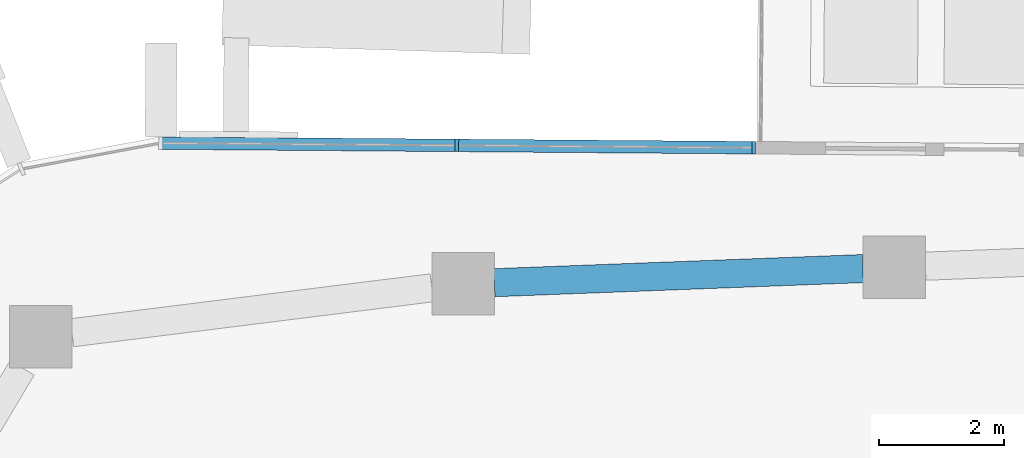
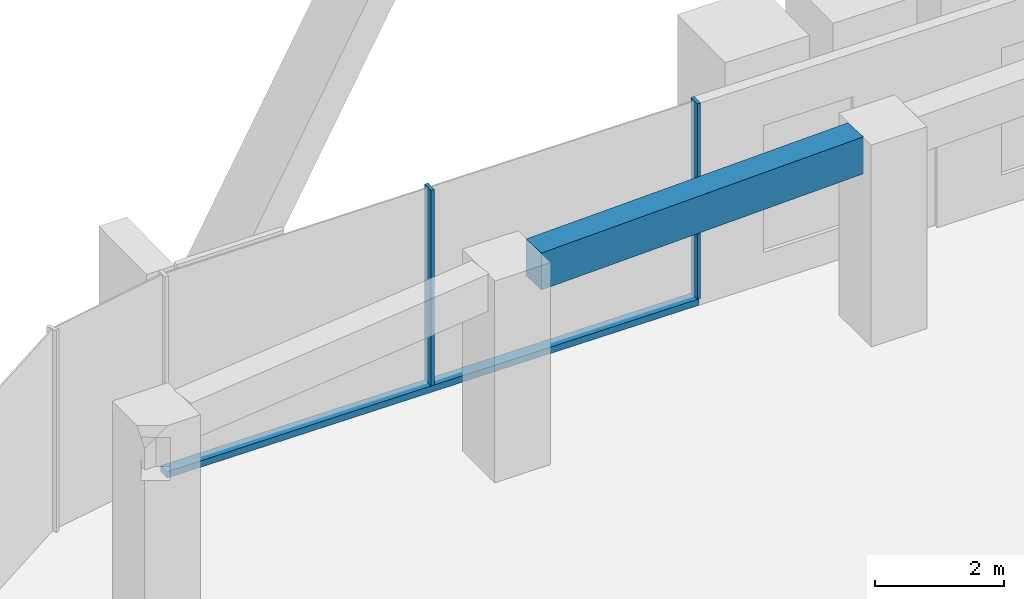
# One storey, part 7 of 23: 3 members, 1 beam, 1 element without a shape of its own.
"""IFC4 building model written with IfcOpenShell, lengths in metres."""

import ifcopenshell
import ifcopenshell.guid

model = None  # the IFC model being written
_history = None  # IfcOwnerHistory: only IFC2X3 demands one
_inside = {}  # id of a spatial element -> (the spatial element, [elements in it])
_under = {}  # id of a project, library or spatial element -> (it, [spatial elements below it])
_declared = {}  # id of a project -> (the project, [libraries it declares])
_typed = {}  # id of a type object -> (the type object, [elements of that type])
_made_of = {}  # id of a material, layer set ... -> (it, [elements and type objects made of it])


def new_model(schema):
    """Start an empty IFC model of exactly this schema.

    Asked for "IFC4X3", IfcOpenShell would pick the latest addendum, in which some entities
    have other attributes; the version numbers below select the first issue.
    IFC2X3 requires an IfcOwnerHistory on every rooted entity: one is made here for all.
    """
    global model, _history
    if schema == "IFC4X3":
        model = ifcopenshell.file(schema_version=(4, 3, 0, 0))
    else:
        model = ifcopenshell.file(schema=schema)
    _inside.clear()
    _under.clear()
    _declared.clear()
    _typed.clear()
    _made_of.clear()
    _history = None
    if model.schema == "IFC2X3":
        org = make("IfcOrganization", Name="unknown")
        user = make(
            "IfcPersonAndOrganization",
            ThePerson=make("IfcPerson", FamilyName="unknown"),
            TheOrganization=org,
        )
        app = make(
            "IfcApplication",
            ApplicationDeveloper=org,
            Version="unknown",
            ApplicationFullName="unknown",
            ApplicationIdentifier="unknown",
        )
        _history = make(
            "IfcOwnerHistory",
            OwningUser=user,
            OwningApplication=app,
            ChangeAction="ADDED",
            CreationDate=0,
        )
    return model


def make(cls, **values):
    """One entity of the class cls with the attributes given. An attribute that is None is left unset."""
    return model.create_entity(
        cls, **{name: value for name, value in values.items() if value is not None}
    )


def rooted(cls, **values):
    """An entity with a GlobalId (a new one), such as an element, a storey or a relation."""
    return make(cls, GlobalId=ifcopenshell.guid.new(), OwnerHistory=_history, **values)


def si_unit(unit_type, name, prefix=None):
    """IfcSIUnit, for example si_unit("LENGTHUNIT", "METRE", prefix="MILLI")."""
    return make("IfcSIUnit", UnitType=unit_type, Prefix=prefix, Name=name)


def assignment(units):
    """IfcUnitAssignment: the units of a project."""
    return None if units is None else make("IfcUnitAssignment", Units=units)


def point(xyz):
    """IfcCartesianPoint."""
    return None if xyz is None else make("IfcCartesianPoint", Coordinates=xyz)


def direction(xyz):
    """IfcDirection."""
    return None if xyz is None else make("IfcDirection", DirectionRatios=xyz)


def frame(location, z_axis=None, x_axis=None):
    """IfcAxis2Placement3D, a coordinate frame: its origin and axes. An axis left out is left unset."""
    return make(
        "IfcAxis2Placement3D",
        Location=point(location),
        Axis=direction(z_axis),
        RefDirection=direction(x_axis),
    )


def frame_2d(location, x_axis=None):
    """IfcAxis2Placement2D, a coordinate frame in the plane: its origin and x axis."""
    return make(
        "IfcAxis2Placement2D", Location=point(location), RefDirection=direction(x_axis)
    )


def origin():
    """The frame at (0, 0, 0) with its axes left unset."""
    return frame((0.0, 0.0, 0.0))


def origin_2d():
    """The frame at (0, 0) in the plane with its x axis left unset."""
    return frame_2d((0.0, 0.0))


def place(relative_to, where):
    """IfcLocalPlacement: puts the frame where relative to a parent placement (None: the world)."""
    return make(
        "IfcLocalPlacement", PlacementRelTo=relative_to, RelativePlacement=where
    )


def context(
    kind, dimensions, precision=None, world=None, true_north=None, identifier=None
):
    """IfcGeometricRepresentationContext, for example the 3D "Model" context."""
    return make(
        "IfcGeometricRepresentationContext",
        ContextIdentifier=identifier,
        ContextType=kind,
        CoordinateSpaceDimension=dimensions,
        Precision=precision,
        WorldCoordinateSystem=world,
        TrueNorth=true_north,
    )


def subcontext(parent, identifier, kind, view, scale=None):
    """IfcGeometricRepresentationSubContext, for example "Body" below "Model"."""
    return make(
        "IfcGeometricRepresentationSubContext",
        ContextIdentifier=identifier,
        ContextType=kind,
        ParentContext=parent,
        TargetScale=scale,
        TargetView=view,
    )


def project(units=None, contexts=None):
    """IfcProject with its units and contexts."""
    return rooted(
        "IfcProject",
        Name="project",
        RepresentationContexts=contexts,
        UnitsInContext=assignment(units),
    )


def spatial(cls, under=None, at=None, **own):
    """A site, building, storey or space (cls), placed at a placement, below another one or the project."""
    s = rooted(cls, ObjectPlacement=at, **own)
    if under is not None:
        _under.setdefault(under.id(), (under, []))[1].append(s)
    return s


def profile(cls, at=None, kind="AREA", **sizes):
    """A parametric profile (cls). Its sizes go by their IFC names, for example OverallWidth=200.0."""
    return make(cls, ProfileType=kind, Position=at, **sizes)


def rectangle(**sizes):
    """IfcRectangleProfileDef."""
    return profile("IfcRectangleProfileDef", **sizes)


def extrude(swept, where, along, depth):
    """IfcExtrudedAreaSolid: the profile swept, set in the frame where, extruded along a direction by depth."""
    return make(
        "IfcExtrudedAreaSolid",
        SweptArea=swept,
        Position=where,
        ExtrudedDirection=direction(along),
        Depth=depth,
    )


def shape(context_of_items, identifier, shape_type, items):
    """IfcShapeRepresentation: the items that make up one representation, for example the "Body"."""
    return make(
        "IfcShapeRepresentation",
        ContextOfItems=context_of_items,
        RepresentationIdentifier=identifier,
        RepresentationType=shape_type,
        Items=items,
    )


def material(Name=None, Category=None):
    """IfcMaterial."""
    return make("IfcMaterial", Name=Name, Category=Category)


def layer(
    of_material, thickness, ventilated=None, Name=None, Category=None, Priority=None
):
    """IfcMaterialLayer: one layer of a wall or slab, of a material (None: an air gap)."""
    return make(
        "IfcMaterialLayer",
        Material=of_material,
        LayerThickness=thickness,
        IsVentilated=ventilated,
        Name=Name,
        Category=Category,
        Priority=Priority,
    )


def layer_set(layers, Name=None):
    """IfcMaterialLayerSet."""
    return make("IfcMaterialLayerSet", MaterialLayers=layers, LayerSetName=Name)


def material_profile(
    of_material, cross_section, Name=None, Category=None, Priority=None
):
    """IfcMaterialProfile: a cross section and its material."""
    return make(
        "IfcMaterialProfile",
        Name=Name,
        Material=of_material,
        Profile=cross_section,
        Priority=Priority,
        Category=Category,
    )


def profile_set(profiles, Name=None, composite=None):
    """IfcMaterialProfileSet."""
    return make(
        "IfcMaterialProfileSet",
        Name=Name,
        MaterialProfiles=profiles,
        CompositeProfile=composite,
    )


def made_of(thing, what):
    """Note that an element or type object is made of a material, layer set ...; save() writes the relation."""
    if what is not None:
        _made_of.setdefault(what.id(), (what, []))[1].append(thing)
    return thing


def type_object(cls, material=None, **own):
    """A type object (cls), such as IfcWallType, which elements share."""
    return made_of(rooted(cls, **own), material)


def element(
    cls,
    number,
    at=None,
    inside=None,
    cuts=None,
    type_object=None,
    material=None,
    context=None,
    identifier="Body",
    shape_type=None,
    held_by="IfcProductDefinitionShape",
    body=None,
    shapes=None,
    **own,
):
    """One element of the class cls, such as IfcWall. Its Tag is "e" and its number.

    at: its placement. inside: the storey or other place that contains it. cuts: it is an
    opening in that element (IfcRelVoidsElement). A single representation is given by context,
    identifier, shape_type and body (its items); several are given by shapes. held_by: the class
    of the entity that holds the representations. save() writes the other relations.
    """
    e = rooted(cls, Tag="e%d" % number, ObjectPlacement=at, **own)
    if body is not None:
        shapes = [shape(context, identifier, shape_type, body)]
    if shapes is not None:
        e.Representation = make(held_by, Representations=shapes)
    if inside is not None:
        _inside.setdefault(inside.id(), (inside, []))[1].append(e)
    if cuts is not None:
        rooted(
            "IfcRelVoidsElement", RelatingBuildingElement=cuts, RelatedOpeningElement=e
        )
    if type_object is not None:
        _typed.setdefault(type_object.id(), (type_object, []))[1].append(e)
    return made_of(e, material)


def aggregate(whole, parts):
    """IfcRelAggregates: a whole, such as a stair, and the parts it consists of."""
    return rooted("IfcRelAggregates", RelatingObject=whole, RelatedObjects=parts)


def save(model, path):
    """Write the relations noted so far, then the file.

    IfcRelAggregates (storeys below a building ...), IfcRelContainedInSpatialStructure (elements
    in a storey), IfcRelDefinesByType, IfcRelAssociatesMaterial and IfcRelDeclares: one each for
    every whole, place, type object, material and project.
    """
    for whole, parts in _under.values():
        aggregate(whole, parts)
    for where, things in _inside.values():
        rooted(
            "IfcRelContainedInSpatialStructure",
            RelatedElements=things,
            RelatingStructure=where,
        )
    for kind, things in _typed.values():
        rooted("IfcRelDefinesByType", RelatedObjects=things, RelatingType=kind)
    for what, things in _made_of.values():
        rooted("IfcRelAssociatesMaterial", RelatedObjects=things, RelatingMaterial=what)
    for by, libraries in _declared.values():
        rooted("IfcRelDeclares", RelatingContext=by, RelatedDefinitions=libraries)
    model.write(path)


model = new_model("IFC4")

# Units and contexts
model_context = context("Model", 3, precision=1e-05, world=origin(), true_north=direction((0.0, 1.0)))
body_context = subcontext(model_context, "Body", "Model", "MODEL_VIEW")
ifc_project = project(units=[si_unit("LENGTHUNIT", "METRE"), si_unit("AREAUNIT", "SQUARE_METRE"), si_unit("VOLUMEUNIT", "CUBIC_METRE"), si_unit("PLANEANGLEUNIT", "RADIAN"), si_unit("MASSUNIT", "GRAM", prefix="KILO")], contexts=[model_context])

# Site, building, storey
site_placement = place(None, origin())
site = spatial("IfcSite", under=ifc_project, at=site_placement, CompositionType="ELEMENT")
building_placement = place(site_placement, origin())
building = spatial("IfcBuilding", under=site, at=building_placement, Name="Dongbaek Canopy Tower", CompositionType="ELEMENT")
storey_placement = place(building_placement, frame((0.0, 0.0, 319.39990234375)))
storey = spatial("IfcBuildingStorey", under=building, at=storey_placement, Name="L68", CompositionType="ELEMENT", Elevation=319.39990234375)

# Curtain wall, members
ifc_material_1 = material(Name="Aluminium 6063-T6 pale anodised", Category="aluminium")
ifc_layer = layer(ifc_material_1, 0.199951171875)
ifc_layer_set = layer_set([ifc_layer], Name="CW-1 unitised tower curtain wall")
curtain_wall_type = type_object("IfcCurtainWallType", Name="CW-1 unitised tower curtain wall", PredefinedType="NOTDEFINED", material=ifc_layer_set)
curtain_wall_placement = place(storey_placement, origin())
curtain_wall = element("IfcCurtainWall", 1, at=curtain_wall_placement, inside=storey, type_object=curtain_wall_type, Name="CW-1 curtain wall F1.1", PredefinedType="NOTDEFINED")
ifc_material_2 = material(Name="Aluminium 6063-T6 pale anodised", Category="aluminium")
ifc_material_profile_1 = material_profile(ifc_material_2, rectangle(XDim=0.199951171875, YDim=0.06005859375, at=origin_2d()), Name="CW-1 mullion 60 x 200")
ifc_profile_set_1 = profile_set([ifc_material_profile_1], Name="Aluminium 6063-T6 pale anodised")
member_type_1 = type_object("IfcMemberType", Name="CW-1 mullion 60 x 200", PredefinedType="MULLION", material=ifc_profile_set_1)
member_1_placement = place(storey_placement, frame((-3.663818359375, 29.341064453125, 0.1201171875), z_axis=(0.0, 0.0, 1.0), x_axis=(0.007781807363, 0.999969721279, 0.0)))
member_1 = element("IfcMember", 2, at=member_1_placement, type_object=member_type_1, Name="CW-1 mullion F1.1.1", PredefinedType="MULLION", context=body_context, shape_type="SweptSolid", body=[
    extrude(rectangle(XDim=0.199951171875, YDim=0.06005859375, at=origin_2d()), origin(), (0.0, 0.0, 1.0), 3.699951171875),
])
member_2_placement = place(storey_placement, frame((-8.4091796875, 29.378173828125, 0.1201171875), z_axis=(0.0, 0.0, 1.0), x_axis=(0.007781807363, 0.999969721279, 0.0)))
member_2 = element("IfcMember", 3, at=member_2_placement, type_object=member_type_1, Name="CW-1 mullion F1.1.2", PredefinedType="MULLION", context=body_context, shape_type="SweptSolid", body=[
    extrude(rectangle(XDim=0.199951171875, YDim=0.06005859375, at=origin_2d()), origin(), (0.0, 0.0, 1.0), 3.699951171875),
])
ifc_material_3 = material(Name="Aluminium 6063-T6 pale anodised", Category="aluminium")
ifc_material_profile_2 = material_profile(ifc_material_3, rectangle(XDim=0.199951171875, YDim=0.1201171875, at=origin_2d()), Name="CW-1 transom 120 x 200")
ifc_profile_set_2 = profile_set([ifc_material_profile_2], Name="Aluminium 6063-T6 pale anodised")
member_type_2 = type_object("IfcMemberType", Name="CW-1 transom 120 x 200", PredefinedType="USERDEFINED", material=ifc_profile_set_2)
member_3_placement = place(storey_placement, frame((-3.663818359375, 29.341064453125, 0.06005859375), z_axis=(-0.999969562346, 0.007802203672, 0.0), x_axis=(-0.007802203672, -0.999969562346, 0.0)))
member_3 = element("IfcMember", 4, at=member_3_placement, type_object=member_type_2, Name="CW-1 transom F1.1.1", ObjectType="TRANSOM", PredefinedType="USERDEFINED", context=body_context, shape_type="SweptSolid", body=[
    extrude(rectangle(XDim=0.199951171875, YDim=0.1201171875, at=origin_2d()), origin(), (0.0, 0.0, 1.0), 9.481201171875),
])
aggregate(curtain_wall, [member_1, member_2, member_3])

# Beam
ifc_material_4 = material(Name="Concrete C60", Category="concrete")
ifc_material_profile_3 = material_profile(ifc_material_4, rectangle(XDim=0.449951171875, YDim=0.699951171875, at=origin_2d()), Name="RC EDGE BEAM 450x700 C60")
ifc_profile_set_3 = profile_set([ifc_material_profile_3], Name="Concrete C60")
beam_type = type_object("IfcBeamType", Name="RC EDGE BEAM 450x700 C60", PredefinedType="BEAM", material=ifc_profile_set_3)
beam_placement = place(storey_placement, frame((-7.80908203125, 27.18310546875, 3.47021484375), z_axis=(0.999267644391, 0.038264538061, 0.0), x_axis=(-0.038264538061, 0.999267644391, 0.0)))
element("IfcBeam", 5, at=beam_placement, inside=storey, type_object=beam_type, Name="EDGEBEAM:L68:14", PredefinedType="BEAM", context=body_context, shape_type="SweptSolid", body=[
    extrude(rectangle(XDim=0.449951171875, YDim=0.699951171875, at=origin_2d()), origin(), (0.0, 0.0, 1.0), 5.8955078125),
])

save(model, "model.ifc")
